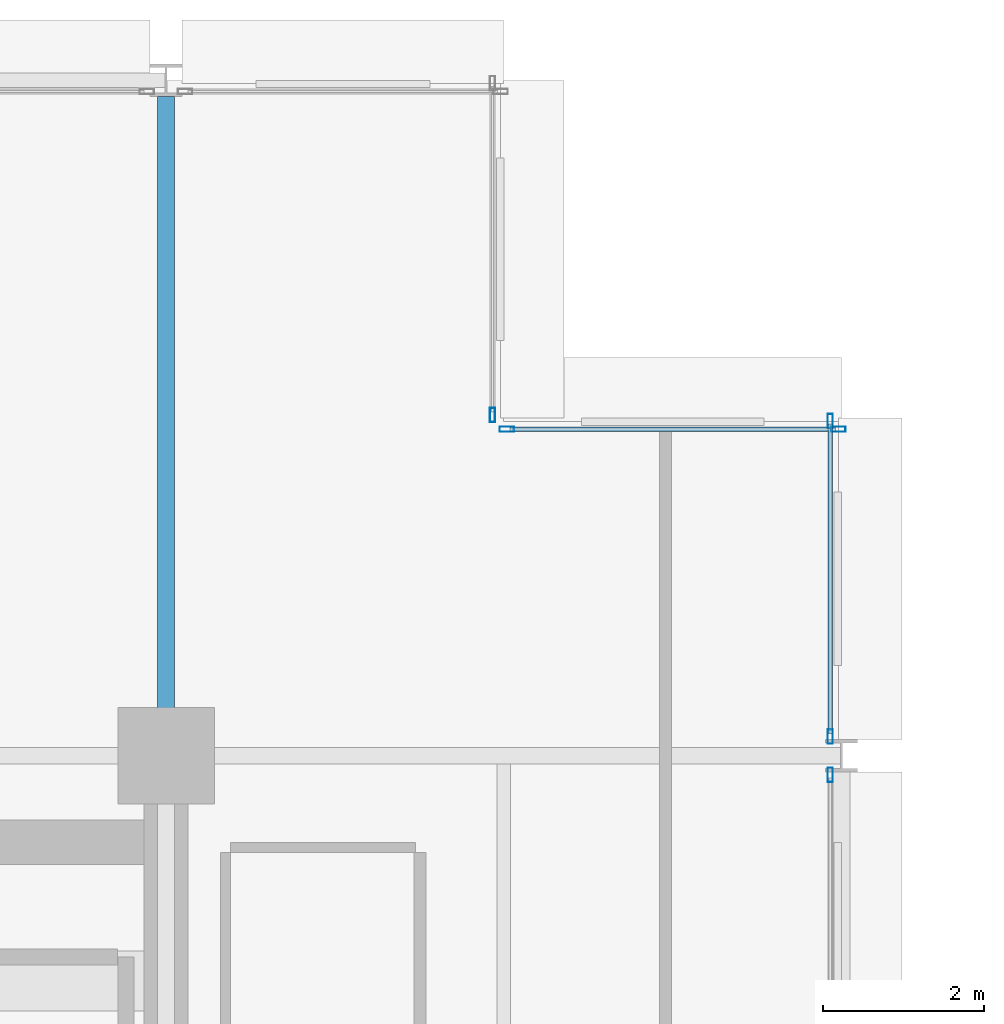
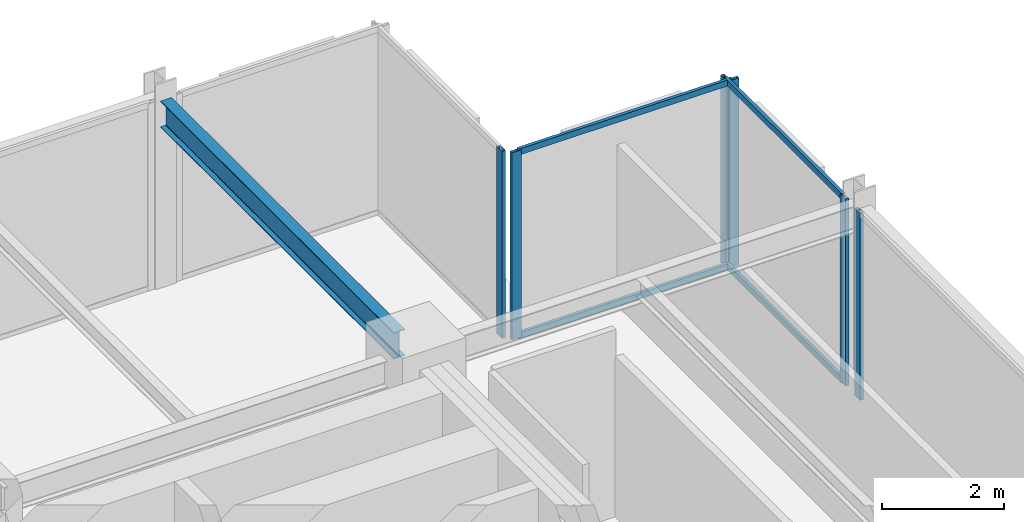
# One storey, part 28 of 40: 10 members, 1 beam, 4 elements without a shape of their own.
"""IFC4 building model written with IfcOpenShell, lengths in metres."""

from ifc_helpers import new_model, si_unit, direction, frame, origin, origin_2d, place, context, subcontext, project, spatial, hollow_rectangle, i_section, extrude, material, layer, layer_set, material_profile, profile_set, type_object, element, aggregate, save


model = new_model("IFC4")

# Units and contexts
model_context = context("Model", 3, precision=1e-05, world=origin(), true_north=direction((0.0, 1.0)))
body_context = subcontext(model_context, "Body", "Model", "MODEL_VIEW")
ifc_project = project(units=[si_unit("LENGTHUNIT", "METRE"), si_unit("AREAUNIT", "SQUARE_METRE"), si_unit("VOLUMEUNIT", "CUBIC_METRE"), si_unit("PLANEANGLEUNIT", "RADIAN"), si_unit("MASSUNIT", "GRAM", prefix="KILO")], contexts=[model_context])

# Site, building, storey
site_placement = place(None, origin())
site = spatial("IfcSite", under=ifc_project, at=site_placement, CompositionType="ELEMENT")
building_placement = place(site_placement, origin())
building = spatial("IfcBuilding", under=site, at=building_placement, Name="Nerrivon Quay Data Exchange", CompositionType="ELEMENT")
storey_placement = place(building_placement, frame((0.0, 0.0, 109.0)))
storey = spatial("IfcBuildingStorey", under=building, at=storey_placement, Name="L25", CompositionType="ELEMENT", Elevation=109.0)

# Beam
ifc_material_1 = material(Name="Steel Grade 350", Category="steel")
ifc_material_profile_1 = material_profile(ifc_material_1, i_section(OverallWidth=0.208984375, OverallDepth=0.528076171875, WebThickness=0.009521484375, FlangeThickness=0.01318359375, FilletRadius=0.013916015625, at=origin_2d()), Name="530UB82.0")
ifc_profile_set_1 = profile_set([ifc_material_profile_1], Name="Steel Grade 350")
beam_type = type_object("IfcBeamType", Name="BM-G4-530UB82", PredefinedType="BEAM", material=ifc_profile_set_1)
beam_placement = place(storey_placement, frame((16.800048828125, 42.5400390625, 3.486083984375), z_axis=(0.0, 1.0, 0.0), x_axis=(-1.0, 0.0, 0.0)))
element("IfcBeam", 1, at=beam_placement, inside=storey, type_object=beam_type, Name="L25 NS Girder X=16.8 (42.0..50.4)", PredefinedType="BEAM", context=body_context, shape_type="SweptSolid", body=[
    extrude(i_section(OverallWidth=0.208984375, OverallDepth=0.528076171875, WebThickness=0.009521484375, FlangeThickness=0.01318359375, FilletRadius=0.013916015625, at=origin_2d()), origin(), (0.0, 0.0, 1.0), 7.659912109375),
])

# Curtain wall, member
ifc_material_2 = material(Name="Anodised aluminium 6063-T6", Category="aluminium")
ifc_layer = layer(ifc_material_2, 0.2099609375)
ifc_layer_set = layer_set([ifc_layer], Name="Anodised aluminium 6063-T6")
curtain_wall_type = type_object("IfcCurtainWallType", Name="CW-SYS-02", PredefinedType="NOTDEFINED", material=ifc_layer_set)
curtain_wall_1_placement = place(storey_placement, origin())
curtain_wall_1 = element("IfcCurtainWall", 2, at=curtain_wall_1_placement, inside=storey, type_object=curtain_wall_type, Name="L25 Unitised Curtain Wall 27", PredefinedType="NOTDEFINED")
ifc_material_profile_2 = material_profile(ifc_material_2, hollow_rectangle(XDim=0.06494140625, YDim=0.179931640625, WallThickness=0.00341796875, at=origin_2d()), Name="ALU-MULL-180x65")
ifc_profile_set_2 = profile_set([ifc_material_profile_2], Name="Anodised aluminium 6063-T6")
member_type_1 = type_object("IfcMemberType", Name="CWM-180x65", PredefinedType="MULLION", material=ifc_profile_set_2)
member_1_placement = place(storey_placement, frame((20.860107421875, 46.237548828125, 0.0), z_axis=(0.0, 0.0, 1.0), x_axis=(1.0, 0.0, 0.0)))
member_1 = element("IfcMember", 3, at=member_1_placement, type_object=member_type_1, Name="CW02 mullion 2", PredefinedType="MULLION", context=body_context, shape_type="SweptSolid", body=[
    extrude(hollow_rectangle(XDim=0.06494140625, YDim=0.179931640625, WallThickness=0.00341796875, at=origin_2d()), origin(), (0.0, 0.0, 1.0), 3.75),
])
aggregate(curtain_wall_1, [member_1])

# Curtain wall, members
curtain_wall_2_placement = place(storey_placement, origin())
curtain_wall_2 = element("IfcCurtainWall", 4, at=curtain_wall_2_placement, inside=storey, type_object=curtain_wall_type, Name="L25 Unitised Curtain Wall 28", PredefinedType="NOTDEFINED")
member_2_placement = place(storey_placement, frame((21.03759765625, 46.06005859375, 0.0), z_axis=(0.0, 0.0, 1.0), x_axis=(0.0, 1.0, 0.0)))
member_2 = element("IfcMember", 5, at=member_2_placement, type_object=member_type_1, Name="CW02 mullion 1", PredefinedType="MULLION", context=body_context, shape_type="SweptSolid", body=[
    extrude(hollow_rectangle(XDim=0.06494140625, YDim=0.179931640625, WallThickness=0.00341796875, at=origin_2d()), origin(), (0.0, 0.0, 1.0), 3.75),
])
member_3_placement = place(storey_placement, frame((25.16259765625, 46.06005859375, 0.0), z_axis=(0.0, 0.0, 1.0), x_axis=(0.0, 1.0, 0.0)))
member_3 = element("IfcMember", 6, at=member_3_placement, type_object=member_type_1, Name="CW02 mullion 2", PredefinedType="MULLION", context=body_context, shape_type="SweptSolid", body=[
    extrude(hollow_rectangle(XDim=0.06494140625, YDim=0.179931640625, WallThickness=0.00341796875, at=origin_2d()), origin(), (0.0, 0.0, 1.0), 3.75),
])

curtain_wall_3_placement = place(storey_placement, origin())
curtain_wall_3 = element("IfcCurtainWall", 7, at=curtain_wall_3_placement, inside=storey, type_object=curtain_wall_type, Name="L25 Unitised Curtain Wall 29", PredefinedType="NOTDEFINED")
member_4_placement = place(storey_placement, frame((25.06005859375, 46.16259765625, 0.0), z_axis=(0.0, 0.0, 1.0), x_axis=(1.0, 0.0, 0.0)))
member_4 = element("IfcMember", 8, at=member_4_placement, type_object=member_type_1, Name="CW02 mullion 1", PredefinedType="MULLION", context=body_context, shape_type="SweptSolid", body=[
    extrude(hollow_rectangle(XDim=0.06494140625, YDim=0.179931640625, WallThickness=0.00341796875, at=origin_2d()), origin(), (0.0, 0.0, 1.0), 3.75),
])
member_5_placement = place(storey_placement, frame((25.06005859375, 42.237548828125, 0.0), z_axis=(0.0, 0.0, 1.0), x_axis=(1.0, 0.0, 0.0)))
member_5 = element("IfcMember", 9, at=member_5_placement, type_object=member_type_1, Name="CW02 mullion 2", PredefinedType="MULLION", context=body_context, shape_type="SweptSolid", body=[
    extrude(hollow_rectangle(XDim=0.06494140625, YDim=0.179931640625, WallThickness=0.00341796875, at=origin_2d()), origin(), (0.0, 0.0, 1.0), 3.75),
])

# Curtain wall, member
curtain_wall_4_placement = place(storey_placement, origin())
curtain_wall_4 = element("IfcCurtainWall", 10, at=curtain_wall_4_placement, inside=storey, type_object=curtain_wall_type, Name="L25 Unitised Curtain Wall 30", PredefinedType="NOTDEFINED")
member_6_placement = place(storey_placement, frame((25.06005859375, 41.762451171875, 0.0), z_axis=(0.0, 0.0, 1.0), x_axis=(1.0, 0.0, 0.0)))
member_6 = element("IfcMember", 11, at=member_6_placement, type_object=member_type_1, Name="CW02 mullion 1", PredefinedType="MULLION", context=body_context, shape_type="SweptSolid", body=[
    extrude(hollow_rectangle(XDim=0.06494140625, YDim=0.179931640625, WallThickness=0.00341796875, at=origin_2d()), origin(), (0.0, 0.0, 1.0), 3.75),
])
aggregate(curtain_wall_4, [member_6])

# Member
ifc_material_profile_3 = material_profile(ifc_material_2, hollow_rectangle(XDim=0.06005859375, YDim=0.1201171875, WallThickness=0.003173828125, at=origin_2d()), Name="ALU-TRAN-120x60")
ifc_profile_set_3 = profile_set([ifc_material_profile_3], Name="Anodised aluminium 6063-T6")
member_type_2 = type_object("IfcMemberType", Name="CWT-120x60", PredefinedType="USERDEFINED", material=ifc_profile_set_3)
member_7_placement = place(storey_placement, frame((21.074951171875, 46.06005859375, 0.032470703125), z_axis=(1.0, 0.0, 0.0), x_axis=(0.0, 1.0, 0.0)))
member_7 = element("IfcMember", 12, at=member_7_placement, type_object=member_type_2, Name="CW02 transom 1.1", ObjectType="TRANSOM", PredefinedType="USERDEFINED", context=body_context, shape_type="SweptSolid", body=[
    extrude(hollow_rectangle(XDim=0.06005859375, YDim=0.1201171875, WallThickness=0.003173828125, at=origin_2d()), origin(), (0.0, 0.0, 1.0), 4.050048828125),
])

member_8_placement = place(storey_placement, frame((21.074951171875, 46.06005859375, 3.717529296875), z_axis=(1.0, 0.0, 0.0), x_axis=(0.0, 1.0, 0.0)))
member_8 = element("IfcMember", 13, at=member_8_placement, type_object=member_type_2, Name="CW02 transom 1.2", ObjectType="TRANSOM", PredefinedType="USERDEFINED", context=body_context, shape_type="SweptSolid", body=[
    extrude(hollow_rectangle(XDim=0.06005859375, YDim=0.1201171875, WallThickness=0.003173828125, at=origin_2d()), origin(), (0.0, 0.0, 1.0), 4.050048828125),
])

aggregate(curtain_wall_2, [member_2, member_3, member_7, member_8])

member_9_placement = place(storey_placement, frame((25.06005859375, 46.125, 0.032470703125), z_axis=(0.0, -1.0, 0.0), x_axis=(1.0, 0.0, 0.0)))
member_9 = element("IfcMember", 14, at=member_9_placement, type_object=member_type_2, Name="CW02 transom 1.1", ObjectType="TRANSOM", PredefinedType="USERDEFINED", context=body_context, shape_type="SweptSolid", body=[
    extrude(hollow_rectangle(XDim=0.06005859375, YDim=0.1201171875, WallThickness=0.003173828125, at=origin_2d()), origin(), (0.0, 0.0, 1.0), 3.85009765625),
])

member_10_placement = place(storey_placement, frame((25.06005859375, 46.125, 3.717529296875), z_axis=(0.0, -1.0, 0.0), x_axis=(1.0, 0.0, 0.0)))
member_10 = element("IfcMember", 15, at=member_10_placement, type_object=member_type_2, Name="CW02 transom 1.2", ObjectType="TRANSOM", PredefinedType="USERDEFINED", context=body_context, shape_type="SweptSolid", body=[
    extrude(hollow_rectangle(XDim=0.06005859375, YDim=0.1201171875, WallThickness=0.003173828125, at=origin_2d()), origin(), (0.0, 0.0, 1.0), 3.85009765625),
])

aggregate(curtain_wall_3, [member_4, member_5, member_9, member_10])

save(model, "model.ifc")
